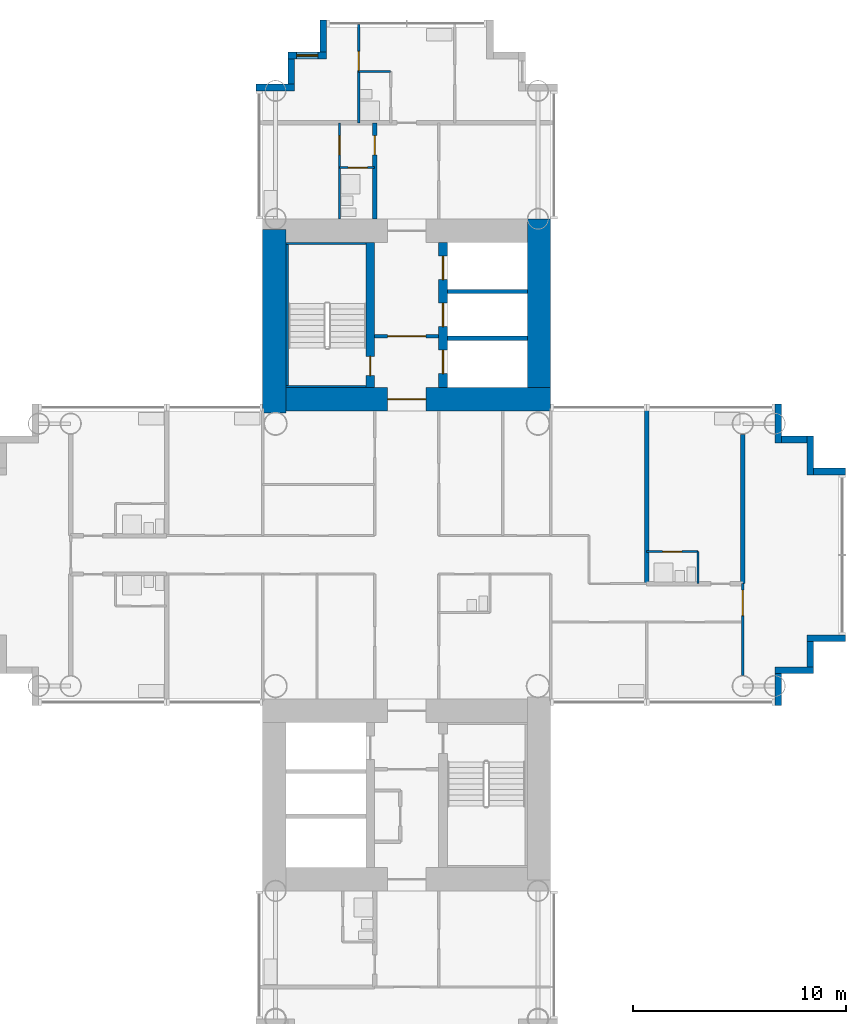
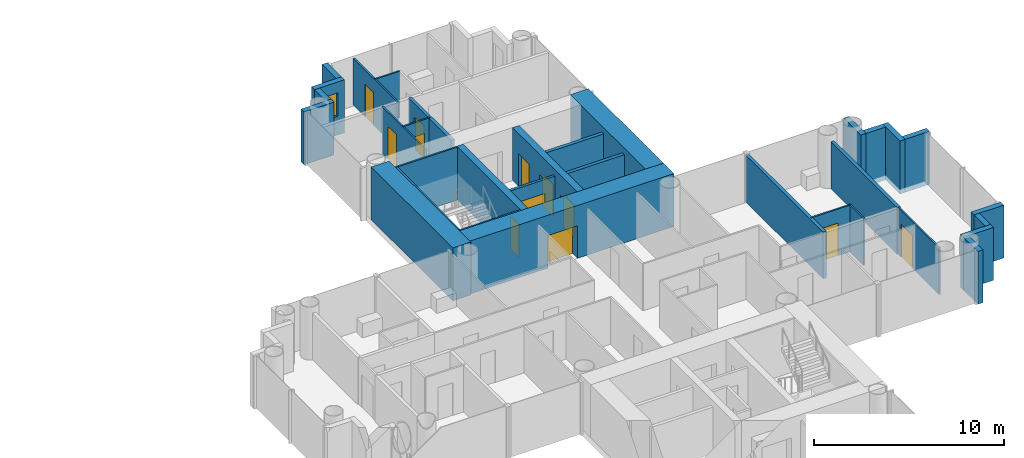
# One storey, part 14 of 21: 33 walls, 12 doors, 1 window, 13 openings.
"""IFC4 building model written with IfcOpenShell, lengths in metres."""

import ifcopenshell
import ifcopenshell.guid

model = None  # the IFC model being written
_history = None  # IfcOwnerHistory: only IFC2X3 demands one
_inside = {}  # id of a spatial element -> (the spatial element, [elements in it])
_under = {}  # id of a project, library or spatial element -> (it, [spatial elements below it])
_declared = {}  # id of a project -> (the project, [libraries it declares])
_typed = {}  # id of a type object -> (the type object, [elements of that type])
_made_of = {}  # id of a material, layer set ... -> (it, [elements and type objects made of it])


def new_model(schema):
    """Start an empty IFC model of exactly this schema.

    Asked for "IFC4X3", IfcOpenShell would pick the latest addendum, in which some entities
    have other attributes; the version numbers below select the first issue.
    IFC2X3 requires an IfcOwnerHistory on every rooted entity: one is made here for all.
    """
    global model, _history
    if schema == "IFC4X3":
        model = ifcopenshell.file(schema_version=(4, 3, 0, 0))
    else:
        model = ifcopenshell.file(schema=schema)
    _inside.clear()
    _under.clear()
    _declared.clear()
    _typed.clear()
    _made_of.clear()
    _history = None
    if model.schema == "IFC2X3":
        org = make("IfcOrganization", Name="unknown")
        user = make(
            "IfcPersonAndOrganization",
            ThePerson=make("IfcPerson", FamilyName="unknown"),
            TheOrganization=org,
        )
        app = make(
            "IfcApplication",
            ApplicationDeveloper=org,
            Version="unknown",
            ApplicationFullName="unknown",
            ApplicationIdentifier="unknown",
        )
        _history = make(
            "IfcOwnerHistory",
            OwningUser=user,
            OwningApplication=app,
            ChangeAction="ADDED",
            CreationDate=0,
        )
    return model


def make(cls, **values):
    """One entity of the class cls with the attributes given. An attribute that is None is left unset."""
    return model.create_entity(
        cls, **{name: value for name, value in values.items() if value is not None}
    )


def rooted(cls, **values):
    """An entity with a GlobalId (a new one), such as an element, a storey or a relation."""
    return make(cls, GlobalId=ifcopenshell.guid.new(), OwnerHistory=_history, **values)


def si_unit(unit_type, name, prefix=None):
    """IfcSIUnit, for example si_unit("LENGTHUNIT", "METRE", prefix="MILLI")."""
    return make("IfcSIUnit", UnitType=unit_type, Prefix=prefix, Name=name)


def assignment(units):
    """IfcUnitAssignment: the units of a project."""
    return None if units is None else make("IfcUnitAssignment", Units=units)


def point(xyz):
    """IfcCartesianPoint."""
    return None if xyz is None else make("IfcCartesianPoint", Coordinates=xyz)


def direction(xyz):
    """IfcDirection."""
    return None if xyz is None else make("IfcDirection", DirectionRatios=xyz)


def frame(location, z_axis=None, x_axis=None):
    """IfcAxis2Placement3D, a coordinate frame: its origin and axes. An axis left out is left unset."""
    return make(
        "IfcAxis2Placement3D",
        Location=point(location),
        Axis=direction(z_axis),
        RefDirection=direction(x_axis),
    )


def frame_2d(location, x_axis=None):
    """IfcAxis2Placement2D, a coordinate frame in the plane: its origin and x axis."""
    return make(
        "IfcAxis2Placement2D", Location=point(location), RefDirection=direction(x_axis)
    )


def origin():
    """The frame at (0, 0, 0) with its axes left unset."""
    return frame((0.0, 0.0, 0.0))


def place(relative_to, where):
    """IfcLocalPlacement: puts the frame where relative to a parent placement (None: the world)."""
    return make(
        "IfcLocalPlacement", PlacementRelTo=relative_to, RelativePlacement=where
    )


def context(
    kind, dimensions, precision=None, world=None, true_north=None, identifier=None
):
    """IfcGeometricRepresentationContext, for example the 3D "Model" context."""
    return make(
        "IfcGeometricRepresentationContext",
        ContextIdentifier=identifier,
        ContextType=kind,
        CoordinateSpaceDimension=dimensions,
        Precision=precision,
        WorldCoordinateSystem=world,
        TrueNorth=true_north,
    )


def subcontext(parent, identifier, kind, view, scale=None):
    """IfcGeometricRepresentationSubContext, for example "Body" below "Model"."""
    return make(
        "IfcGeometricRepresentationSubContext",
        ContextIdentifier=identifier,
        ContextType=kind,
        ParentContext=parent,
        TargetScale=scale,
        TargetView=view,
    )


def project(units=None, contexts=None):
    """IfcProject with its units and contexts."""
    return rooted(
        "IfcProject",
        Name="project",
        RepresentationContexts=contexts,
        UnitsInContext=assignment(units),
    )


def spatial(cls, under=None, at=None, **own):
    """A site, building, storey or space (cls), placed at a placement, below another one or the project."""
    s = rooted(cls, ObjectPlacement=at, **own)
    if under is not None:
        _under.setdefault(under.id(), (under, []))[1].append(s)
    return s


def profile(cls, at=None, kind="AREA", **sizes):
    """A parametric profile (cls). Its sizes go by their IFC names, for example OverallWidth=200.0."""
    return make(cls, ProfileType=kind, Position=at, **sizes)


def rectangle(**sizes):
    """IfcRectangleProfileDef."""
    return profile("IfcRectangleProfileDef", **sizes)


def extrude(swept, where, along, depth):
    """IfcExtrudedAreaSolid: the profile swept, set in the frame where, extruded along a direction by depth."""
    return make(
        "IfcExtrudedAreaSolid",
        SweptArea=swept,
        Position=where,
        ExtrudedDirection=direction(along),
        Depth=depth,
    )


def shape(context_of_items, identifier, shape_type, items):
    """IfcShapeRepresentation: the items that make up one representation, for example the "Body"."""
    return make(
        "IfcShapeRepresentation",
        ContextOfItems=context_of_items,
        RepresentationIdentifier=identifier,
        RepresentationType=shape_type,
        Items=items,
    )


def material(Name=None, Category=None):
    """IfcMaterial."""
    return make("IfcMaterial", Name=Name, Category=Category)


def layer(
    of_material, thickness, ventilated=None, Name=None, Category=None, Priority=None
):
    """IfcMaterialLayer: one layer of a wall or slab, of a material (None: an air gap)."""
    return make(
        "IfcMaterialLayer",
        Material=of_material,
        LayerThickness=thickness,
        IsVentilated=ventilated,
        Name=Name,
        Category=Category,
        Priority=Priority,
    )


def layer_set(layers, Name=None):
    """IfcMaterialLayerSet."""
    return make("IfcMaterialLayerSet", MaterialLayers=layers, LayerSetName=Name)


def made_of(thing, what):
    """Note that an element or type object is made of a material, layer set ...; save() writes the relation."""
    if what is not None:
        _made_of.setdefault(what.id(), (what, []))[1].append(thing)
    return thing


def type_object(cls, material=None, **own):
    """A type object (cls), such as IfcWallType, which elements share."""
    return made_of(rooted(cls, **own), material)


def element(
    cls,
    number,
    at=None,
    inside=None,
    cuts=None,
    type_object=None,
    material=None,
    context=None,
    identifier="Body",
    shape_type=None,
    held_by="IfcProductDefinitionShape",
    body=None,
    shapes=None,
    **own,
):
    """One element of the class cls, such as IfcWall. Its Tag is "e" and its number.

    at: its placement. inside: the storey or other place that contains it. cuts: it is an
    opening in that element (IfcRelVoidsElement). A single representation is given by context,
    identifier, shape_type and body (its items); several are given by shapes. held_by: the class
    of the entity that holds the representations. save() writes the other relations.
    """
    e = rooted(cls, Tag="e%d" % number, ObjectPlacement=at, **own)
    if body is not None:
        shapes = [shape(context, identifier, shape_type, body)]
    if shapes is not None:
        e.Representation = make(held_by, Representations=shapes)
    if inside is not None:
        _inside.setdefault(inside.id(), (inside, []))[1].append(e)
    if cuts is not None:
        rooted(
            "IfcRelVoidsElement", RelatingBuildingElement=cuts, RelatedOpeningElement=e
        )
    if type_object is not None:
        _typed.setdefault(type_object.id(), (type_object, []))[1].append(e)
    return made_of(e, material)


def fill(opening, filler):
    """IfcRelFillsElement: the door or window that sits in an opening."""
    return rooted(
        "IfcRelFillsElement",
        RelatingOpeningElement=opening,
        RelatedBuildingElement=filler,
    )


def aggregate(whole, parts):
    """IfcRelAggregates: a whole, such as a stair, and the parts it consists of."""
    return rooted("IfcRelAggregates", RelatingObject=whole, RelatedObjects=parts)


def save(model, path):
    """Write the relations noted so far, then the file.

    IfcRelAggregates (storeys below a building ...), IfcRelContainedInSpatialStructure (elements
    in a storey), IfcRelDefinesByType, IfcRelAssociatesMaterial and IfcRelDeclares: one each for
    every whole, place, type object, material and project.
    """
    for whole, parts in _under.values():
        aggregate(whole, parts)
    for where, things in _inside.values():
        rooted(
            "IfcRelContainedInSpatialStructure",
            RelatedElements=things,
            RelatingStructure=where,
        )
    for kind, things in _typed.values():
        rooted("IfcRelDefinesByType", RelatedObjects=things, RelatingType=kind)
    for what, things in _made_of.values():
        rooted("IfcRelAssociatesMaterial", RelatedObjects=things, RelatingMaterial=what)
    for by, libraries in _declared.values():
        rooted("IfcRelDeclares", RelatingContext=by, RelatedDefinitions=libraries)
    model.write(path)


model = new_model("IFC4")

# Units and contexts
model_context = context("Model", 3, precision=1e-05, world=origin(), true_north=direction((0.0, 1.0)))
body_context = subcontext(model_context, "Body", "Model", "MODEL_VIEW")
ifc_project = project(units=[si_unit("LENGTHUNIT", "METRE"), si_unit("AREAUNIT", "SQUARE_METRE"), si_unit("VOLUMEUNIT", "CUBIC_METRE"), si_unit("PLANEANGLEUNIT", "RADIAN"), si_unit("MASSUNIT", "GRAM", prefix="KILO")], contexts=[model_context])

# Site, building, storey
site_placement = place(None, origin())
site = spatial("IfcSite", under=ifc_project, at=site_placement, CompositionType="ELEMENT")
building_placement = place(site_placement, origin())
building = spatial("IfcBuilding", under=site, at=building_placement, Name="Ipe Terrace Towers", CompositionType="ELEMENT")
storey_placement = place(building_placement, frame((0.0, 0.0, 34.699951171875)))
storey = spatial("IfcBuildingStorey", under=building, at=storey_placement, Name="L08", CompositionType="ELEMENT", Elevation=34.699951171875)

# Walls
ifc_material_1 = material(Name="Concrete C40/50 with buff precast cladding", Category="concrete")
ifc_layer_1 = layer(ifc_material_1, 0.320068359375)
ifc_layer_set_1 = layer_set([ifc_layer_1], Name="BUFF CLADDING WALL 320")
wall_type_1 = type_object("IfcWallType", Name="BUFF CLADDING WALL 320", PredefinedType="STANDARD", material=ifc_layer_set_1)
wall_1_placement = place(storey_placement, frame((53.409912109375, -7.070068359375, -0.300048828125), z_axis=(0.0, 0.0, 1.0), x_axis=(0.0, 1.0, 0.0)))
element("IfcWall", 1, at=wall_1_placement, inside=storey, type_object=wall_type_1, Name="T2-W-L08-08a wall", PredefinedType="STANDARD", context=body_context, shape_type="SweptSolid", body=[
    extrude(rectangle(XDim=1.5, YDim=0.320068359375, at=frame_2d((0.75, 0.0))), origin(), (0.0, 0.0, 1.0), 3.400146484375),
])
wall_2_placement = place(storey_placement, frame((53.25, -5.409912109375, -0.300048828125), z_axis=(0.0, 0.0, 1.0), x_axis=(1.0, 0.0, 0.0)))
element("IfcWall", 2, at=wall_2_placement, inside=storey, type_object=wall_type_1, Name="T2-W-L08-09a wall", PredefinedType="STANDARD", context=body_context, shape_type="SweptSolid", body=[
    extrude(rectangle(XDim=1.820068359375, YDim=0.320068359375, at=frame_2d((0.91015625, 0.0))), origin(), (0.0, 0.0, 1.0), 3.400146484375),
])
wall_3_placement = place(storey_placement, frame((54.909912109375, -5.25, -0.300048828125), z_axis=(0.0, 0.0, 1.0), x_axis=(0.0, 1.0, 0.0)))
element("IfcWall", 3, at=wall_3_placement, inside=storey, type_object=wall_type_1, Name="T2-W-L08-10a wall", PredefinedType="STANDARD", context=body_context, shape_type="SweptSolid", body=[
    extrude(rectangle(XDim=1.179931640625, YDim=0.320068359375, at=frame_2d((0.58984375, 0.0))), origin(), (0.0, 0.0, 1.0), 3.400146484375),
])
wall_4_placement = place(storey_placement, frame((54.75, -3.909912109375, -0.300048828125), z_axis=(0.0, 0.0, 1.0), x_axis=(1.0, 0.0, 0.0)))
element("IfcWall", 4, at=wall_4_placement, inside=storey, type_object=wall_type_1, Name="T2-W-L08-11a wall", PredefinedType="STANDARD", context=body_context, shape_type="SweptSolid", body=[
    extrude(rectangle(XDim=1.820068359375, YDim=0.320068359375, at=frame_2d((0.91015625, 0.0))), origin(), (0.0, 0.0, 1.0), 3.400146484375),
])
wall_5_placement = place(storey_placement, frame((56.570068359375, 3.909912109375, -0.300048828125), z_axis=(0.0, 0.0, 1.0), x_axis=(-1.0, 0.0, 0.0)))
element("IfcWall", 5, at=wall_5_placement, inside=storey, type_object=wall_type_1, Name="T2-W-L08-13a wall", PredefinedType="STANDARD", context=body_context, shape_type="SweptSolid", body=[
    extrude(rectangle(XDim=1.5, YDim=0.320068359375, at=frame_2d((0.75, 0.0))), origin(), (0.0, 0.0, 1.0), 3.400146484375),
])
wall_6_placement = place(storey_placement, frame((54.909912109375, 3.75, -0.300048828125), z_axis=(0.0, 0.0, 1.0), x_axis=(0.0, 1.0, 0.0)))
element("IfcWall", 6, at=wall_6_placement, inside=storey, type_object=wall_type_1, Name="T2-W-L08-14a wall", PredefinedType="STANDARD", context=body_context, shape_type="SweptSolid", body=[
    extrude(rectangle(XDim=1.820068359375, YDim=0.320068359375, at=frame_2d((0.91015625, 0.0))), origin(), (0.0, 0.0, 1.0), 3.400146484375),
])
wall_7_placement = place(storey_placement, frame((54.75, 5.409912109375, -0.300048828125), z_axis=(0.0, 0.0, 1.0), x_axis=(-1.0, 0.0, 0.0)))
element("IfcWall", 7, at=wall_7_placement, inside=storey, type_object=wall_type_1, Name="T2-W-L08-15a wall", PredefinedType="STANDARD", context=body_context, shape_type="SweptSolid", body=[
    extrude(rectangle(XDim=1.179931640625, YDim=0.320068359375, at=frame_2d((0.58984375, 0.0))), origin(), (0.0, 0.0, 1.0), 3.400146484375),
])
wall_8_placement = place(storey_placement, frame((53.409912109375, 5.25, -0.300048828125), z_axis=(0.0, 0.0, 1.0), x_axis=(0.0, 1.0, 0.0)))
element("IfcWall", 8, at=wall_8_placement, inside=storey, type_object=wall_type_1, Name="T2-W-L08-16a wall", PredefinedType="STANDARD", context=body_context, shape_type="SweptSolid", body=[
    extrude(rectangle(XDim=1.820068359375, YDim=0.320068359375, at=frame_2d((0.91015625, 0.0))), origin(), (0.0, 0.0, 1.0), 3.400146484375),
])
wall_9_placement = place(storey_placement, frame((32.090087890625, 25.070068359375, -0.300048828125), z_axis=(0.0, 0.0, 1.0), x_axis=(0.0, -1.0, 0.0)))
element("IfcWall", 9, at=wall_9_placement, inside=storey, type_object=wall_type_1, Name="T2-W-L08-26a wall", PredefinedType="STANDARD", context=body_context, shape_type="SweptSolid", body=[
    extrude(rectangle(XDim=1.5, YDim=0.320068359375, at=frame_2d((0.75, 0.0))), origin(), (0.0, 0.0, 1.0), 3.400146484375),
])

# Wall, opening, window
wall_10_placement = place(storey_placement, frame((32.25, 23.409912109375, -0.300048828125), z_axis=(0.0, 0.0, 1.0), x_axis=(-1.0, 0.0, 0.0)))
wall_10 = element("IfcWall", 10, at=wall_10_placement, inside=storey, type_object=wall_type_1, Name="T2-W-L08-27a wall", PredefinedType="STANDARD", context=body_context, shape_type="SweptSolid", body=[
    extrude(rectangle(XDim=1.820068359375, YDim=0.320068359375, at=frame_2d((0.91015625, 0.0))), origin(), (0.0, 0.0, 1.0), 3.400146484375),
])
opening_1_placement = place(wall_10_placement, frame((0.409912109375, 0.0, 1.199951171875)))
opening_1 = element("IfcOpeningElement", 11, at=opening_1_placement, cuts=wall_10, Name="Opening T2-W-05-L08-01", PredefinedType="OPENING", context=body_context, shape_type="SweptSolid", body=[
    extrude(rectangle(XDim=1.0, YDim=1.5, at=frame_2d((0.5, 0.75))), frame((0.0, 0.169921875, 0.0), z_axis=(0.0, -1.0, 0.0), x_axis=(1.0, 0.0, 0.0)), (0.0, 0.0, 1.0), 0.340087890625),
])
ifc_material_2 = material(Name="Glass, clear laminated", Category="glass")
window_type = type_object("IfcWindowType", Name="DWELLING WINDOW 1000 x 1500", PartitioningType="SINGLE_PANEL", PredefinedType="WINDOW", material=ifc_material_2)
window_placement = place(opening_1_placement, origin())
window = element("IfcWindow", 12, at=window_placement, inside=storey, type_object=window_type, Name="W-05 window", OverallHeight=1.5, OverallWidth=1.0, PartitioningType="SINGLE_PANEL", PredefinedType="WINDOW", context=body_context, shape_type="SweptSolid", body=[
    extrude(rectangle(XDim=1.0, YDim=1.5, at=frame_2d((0.5, 0.75))), frame((0.0, 0.030029296875, 0.0), z_axis=(0.0, -1.0, 0.0), x_axis=(1.0, 0.0, 0.0)), (0.0, 0.0, 1.0), 0.06005859375),
])
fill(opening_1, window)

# Walls
wall_11_placement = place(storey_placement, frame((30.590087890625, 23.25, -0.300048828125), z_axis=(0.0, 0.0, 1.0), x_axis=(0.0, -1.0, 0.0)))
element("IfcWall", 13, at=wall_11_placement, inside=storey, type_object=wall_type_1, Name="T2-W-L08-28a wall", PredefinedType="STANDARD", context=body_context, shape_type="SweptSolid", body=[
    extrude(rectangle(XDim=1.179931640625, YDim=0.320068359375, at=frame_2d((0.58984375, 0.0))), origin(), (0.0, 0.0, 1.0), 3.400146484375),
])
wall_12_placement = place(storey_placement, frame((30.75, 21.909912109375, -0.300048828125), z_axis=(0.0, 0.0, 1.0), x_axis=(-1.0, 0.0, 0.0)))
element("IfcWall", 14, at=wall_12_placement, inside=storey, type_object=wall_type_1, Name="T2-W-L08-29a wall", PredefinedType="STANDARD", context=body_context, shape_type="SweptSolid", body=[
    extrude(rectangle(XDim=1.820068359375, YDim=0.320068359375, at=frame_2d((0.91015625, 0.0))), origin(), (0.0, 0.0, 1.0), 3.400146484375),
])

# Wall, opening, door
ifc_material_3 = material(Name="Gypsum board partition", Category="plasterboard")
ifc_layer_2 = layer(ifc_material_3, 0.10009765625)
ifc_layer_set_2 = layer_set([ifc_layer_2], Name="Gypsum board partition 100 mm")
wall_type_2 = type_object("IfcWallType", Name="Gypsum board partition 100 mm", PredefinedType="PARTITIONING", material=ifc_layer_set_2)
wall_13_placement = place(storey_placement, frame((49.64990234375, 0.14990234375, 0.0), z_axis=(0.0, 0.0, 1.0), x_axis=(-1.0, 0.0, 0.0)))
wall_13 = element("IfcWall", 15, at=wall_13_placement, inside=storey, type_object=wall_type_2, Name="Gypsum board partition T2 L08 W12", PredefinedType="PARTITIONING", context=body_context, shape_type="SweptSolid", body=[
    extrude(rectangle(XDim=2.39990234375, YDim=0.10009765625, at=frame_2d((1.199951171875, 0.0))), origin(), (0.0, 0.0, 1.0), 3.0),
])
opening_2_placement = place(wall_13_placement, frame((0.75, 0.0, 0.0)))
opening_2 = element("IfcOpeningElement", 16, at=opening_2_placement, cuts=wall_13, Name="Opening T2-Z1B-18", PredefinedType="OPENING", context=body_context, shape_type="SweptSolid", body=[
    extrude(rectangle(XDim=0.89990234375, YDim=2.10009765625, at=frame_2d((0.449951171875, 1.050048828125))), frame((0.0, 0.06005859375, 0.0), z_axis=(0.0, -1.0, 0.0), x_axis=(1.0, 0.0, 0.0)), (0.0, 0.0, 1.0), 0.1201171875),
])
ifc_material_4 = material(Name="Timber door leaf", Category="wood")
door_type_1 = type_object("IfcDoorType", Name="Bathroom door 900 x 2100", OperationType="NOTDEFINED", PredefinedType="DOOR", material=ifc_material_4)
door_1_placement = place(opening_2_placement, origin())
door_1 = element("IfcDoor", 17, at=door_1_placement, inside=storey, type_object=door_type_1, Name="Bathroom door T2-Z1B-18", OperationType="SINGLE_SWING_LEFT", OverallHeight=2.10009765625, OverallWidth=0.89990234375, PredefinedType="DOOR", context=body_context, shape_type="SweptSolid", body=[
    extrude(rectangle(XDim=0.89990234375, YDim=2.10009765625, at=frame_2d((0.449951171875, 1.050048828125))), frame((0.0, 0.02490234375, 0.0), z_axis=(0.0, -1.0, 0.0), x_axis=(1.0, 0.0, 0.0)), (0.0, 0.0, 1.0), 0.050048828125),
])
fill(opening_2, door_1)

wall_14_placement = place(storey_placement, frame((34.5, 18.14990234375, 0.0), z_axis=(0.0, 0.0, 1.0), x_axis=(-1.0, 0.0, 0.0)))
wall_14 = element("IfcWall", 18, at=wall_14_placement, inside=storey, type_object=wall_type_2, Name="Gypsum board partition T2 L08 W18", PredefinedType="PARTITIONING", context=body_context, shape_type="SweptSolid", body=[
    extrude(rectangle(XDim=1.64990234375, YDim=0.10009765625, at=frame_2d((0.824951171875, 0.0))), origin(), (0.0, 0.0, 1.0), 3.0),
])
opening_3_placement = place(wall_14_placement, frame((0.35009765625, 0.0, 0.0)))
opening_3 = element("IfcOpeningElement", 19, at=opening_3_placement, cuts=wall_14, Name="Opening T2-Z1B-24", PredefinedType="OPENING", context=body_context, shape_type="SweptSolid", body=[
    extrude(rectangle(XDim=0.89990234375, YDim=2.10009765625, at=frame_2d((0.449951171875, 1.050048828125))), frame((0.0, 0.06005859375, 0.0), z_axis=(0.0, -1.0, 0.0), x_axis=(1.0, 0.0, 0.0)), (0.0, 0.0, 1.0), 0.1201171875),
])
door_2_placement = place(opening_3_placement, origin())
door_2 = element("IfcDoor", 20, at=door_2_placement, inside=storey, type_object=door_type_1, Name="Bathroom door T2-Z1B-24", OperationType="SINGLE_SWING_RIGHT", OverallHeight=2.10009765625, OverallWidth=0.89990234375, PredefinedType="DOOR", context=body_context, shape_type="SweptSolid", body=[
    extrude(rectangle(XDim=0.89990234375, YDim=2.10009765625, at=frame_2d((0.449951171875, 1.050048828125))), frame((0.0, 0.02490234375, 0.0), z_axis=(0.0, -1.0, 0.0), x_axis=(1.0, 0.0, 0.0)), (0.0, 0.0, 1.0), 0.050048828125),
])
fill(opening_3, door_2)

# Wall
wall_15_placement = place(storey_placement, frame((35.25, 22.64990234375, 0.0), z_axis=(0.0, 0.0, 1.0), x_axis=(-1.0, 0.0, 0.0)))
element("IfcWall", 21, at=wall_15_placement, inside=storey, type_object=wall_type_2, Name="Gypsum board partition T2 L08 W20", PredefinedType="PARTITIONING", context=body_context, shape_type="SweptSolid", body=[
    extrude(rectangle(XDim=1.5, YDim=0.10009765625, at=frame_2d((0.75, 0.0))), origin(), (0.0, 0.0, 1.0), 3.0),
])

# Wall, opening, door
wall_16_placement = place(storey_placement, frame((51.75, -5.64990234375, 0.0), z_axis=(0.0, 0.0, 1.0), x_axis=(0.0, 1.0, 0.0)))
wall_16 = element("IfcWall", 22, at=wall_16_placement, inside=storey, type_object=wall_type_2, Name="Gypsum board partition T2 L08 W21", PredefinedType="PARTITIONING", context=body_context, shape_type="SweptSolid", body=[
    extrude(rectangle(XDim=4.2998046875, YDim=0.10009765625, at=frame_2d((2.14990234375, 0.0))), origin(), (0.0, 0.0, 1.0), 3.0),
])
opening_4_placement = place(wall_16_placement, frame((2.800048828125, 0.0, 0.0)))
opening_4 = element("IfcOpeningElement", 23, at=opening_4_placement, cuts=wall_16, Name="Opening T2-Z1B-21", PredefinedType="OPENING", context=body_context, shape_type="SweptSolid", body=[
    extrude(rectangle(XDim=1.199951171875, YDim=2.10009765625, at=frame_2d((0.60009765625, 1.050048828125))), frame((0.0, 0.06005859375, 0.0), z_axis=(0.0, -1.0, 0.0), x_axis=(1.0, 0.0, 0.0)), (0.0, 0.0, 1.0), 0.1201171875),
])
ifc_material_5 = material(Name="Timber door leaf", Category="wood")
door_type_2 = type_object("IfcDoorType", Name="Lounge door 1200 x 2100", OperationType="NOTDEFINED", PredefinedType="DOOR", material=ifc_material_5)
door_3_placement = place(opening_4_placement, origin())
door_3 = element("IfcDoor", 24, at=door_3_placement, inside=storey, type_object=door_type_2, Name="Lounge door T2-Z1B-21", OperationType="SINGLE_SWING_RIGHT", OverallHeight=2.10009765625, OverallWidth=1.199951171875, PredefinedType="DOOR", context=body_context, shape_type="SweptSolid", body=[
    extrude(rectangle(XDim=1.199951171875, YDim=2.10009765625, at=frame_2d((0.60009765625, 1.050048828125))), frame((0.0, 0.02490234375, 0.0), z_axis=(0.0, -1.0, 0.0), x_axis=(1.0, 0.0, 0.0)), (0.0, 0.0, 1.0), 0.050048828125),
])
fill(opening_4, door_3)

# Wall
wall_17_placement = place(storey_placement, frame((49.64990234375, -1.35009765625, 0.0), z_axis=(0.0, 0.0, 1.0), x_axis=(0.0, 1.0, 0.0)))
element("IfcWall", 25, at=wall_17_placement, inside=storey, type_object=wall_type_2, Name="Gypsum board partition T2 L08 W23", PredefinedType="PARTITIONING", context=body_context, shape_type="SweptSolid", body=[
    extrude(rectangle(XDim=1.5, YDim=0.10009765625, at=frame_2d((0.75, 0.0))), origin(), (0.0, 0.0, 1.0), 3.0),
])

# Wall, opening, door
wall_18_placement = place(storey_placement, frame((33.75, 20.25, 0.0), z_axis=(0.0, 0.0, 1.0), x_axis=(0.0, 1.0, 0.0)))
wall_18 = element("IfcWall", 26, at=wall_18_placement, inside=storey, type_object=wall_type_2, Name="Gypsum board partition T2 L08 W41", PredefinedType="PARTITIONING", context=body_context, shape_type="SweptSolid", body=[
    extrude(rectangle(XDim=4.60009765625, YDim=0.10009765625, at=frame_2d((2.300048828125, 0.0))), origin(), (0.0, 0.0, 1.0), 3.0),
])
opening_5_placement = place(wall_18_placement, frame((2.449951171875, 0.0, 0.0)))
opening_5 = element("IfcOpeningElement", 27, at=opening_5_placement, cuts=wall_18, Name="Opening T2-Z1B-28", PredefinedType="OPENING", context=body_context, shape_type="SweptSolid", body=[
    extrude(rectangle(XDim=0.89990234375, YDim=2.10009765625, at=frame_2d((0.449951171875, 1.050048828125))), frame((0.0, 0.06005859375, 0.0), z_axis=(0.0, -1.0, 0.0), x_axis=(1.0, 0.0, 0.0)), (0.0, 0.0, 1.0), 0.1201171875),
])
ifc_material_6 = material(Name="Timber door leaf", Category="wood")
door_type_3 = type_object("IfcDoorType", Name="Bedroom door 900 x 2100", OperationType="NOTDEFINED", PredefinedType="DOOR", material=ifc_material_6)
door_4_placement = place(opening_5_placement, origin())
door_4 = element("IfcDoor", 28, at=door_4_placement, inside=storey, type_object=door_type_3, Name="Bedroom door T2-Z1B-28", OperationType="SINGLE_SWING_LEFT", OverallHeight=2.10009765625, OverallWidth=0.89990234375, PredefinedType="DOOR", context=body_context, shape_type="SweptSolid", body=[
    extrude(rectangle(XDim=0.89990234375, YDim=2.10009765625, at=frame_2d((0.449951171875, 1.050048828125))), frame((0.0, 0.02490234375, 0.0), z_axis=(0.0, -1.0, 0.0), x_axis=(1.0, 0.0, 0.0)), (0.0, 0.0, 1.0), 0.050048828125),
])
fill(opening_5, door_4)

wall_19_placement = place(storey_placement, frame((32.85009765625, 15.75, 0.0), z_axis=(0.0, 0.0, 1.0), x_axis=(0.0, 1.0, 0.0)))
wall_19 = element("IfcWall", 29, at=wall_19_placement, inside=storey, type_object=wall_type_2, Name="Gypsum board partition T2 L08 W43", PredefinedType="PARTITIONING", context=body_context, shape_type="SweptSolid", body=[
    extrude(rectangle(XDim=4.5, YDim=0.10009765625, at=frame_2d((2.25, 0.0))), origin(), (0.0, 0.0, 1.0), 3.0),
])
opening_6_placement = place(wall_19_placement, frame((3.0, 0.0, 0.0)))
opening_6 = element("IfcOpeningElement", 30, at=opening_6_placement, cuts=wall_19, Name="Opening T2-Z1B-23", PredefinedType="OPENING", context=body_context, shape_type="SweptSolid", body=[
    extrude(rectangle(XDim=0.89990234375, YDim=2.10009765625, at=frame_2d((0.449951171875, 1.050048828125))), frame((0.0, 0.06005859375, 0.0), z_axis=(0.0, -1.0, 0.0), x_axis=(1.0, 0.0, 0.0)), (0.0, 0.0, 1.0), 0.1201171875),
])
door_5_placement = place(opening_6_placement, origin())
door_5 = element("IfcDoor", 31, at=door_5_placement, inside=storey, type_object=door_type_3, Name="Bedroom door T2-Z1B-23", OperationType="SINGLE_SWING_LEFT", OverallHeight=2.10009765625, OverallWidth=0.89990234375, PredefinedType="DOOR", context=body_context, shape_type="SweptSolid", body=[
    extrude(rectangle(XDim=0.89990234375, YDim=2.10009765625, at=frame_2d((0.449951171875, 1.050048828125))), frame((0.0, 0.02490234375, 0.0), z_axis=(0.0, -1.0, 0.0), x_axis=(1.0, 0.0, 0.0)), (0.0, 0.0, 1.0), 0.050048828125),
])
fill(opening_6, door_5)

ifc_material_7 = material(Name="Gypsum board partition", Category="plasterboard")
ifc_layer_3 = layer(ifc_material_7, 0.14990234375)
ifc_layer_set_3 = layer_set([ifc_layer_3], Name="Gypsum board partition 150 mm")
wall_type_3 = type_object("IfcWallType", Name="Gypsum board partition 150 mm", PredefinedType="PARTITIONING", material=ifc_layer_set_3)
wall_20_placement = place(storey_placement, frame((37.5, 10.25, 0.0), z_axis=(0.0, 0.0, 1.0), x_axis=(-1.0, 0.0, 0.0)))
wall_20 = element("IfcWall", 32, at=wall_20_placement, inside=storey, type_object=wall_type_3, Name="Gypsum board partition T2 L08 t2c1-lobby-wall", PredefinedType="PARTITIONING", context=body_context, shape_type="SweptSolid", body=[
    extrude(rectangle(XDim=3.0, YDim=0.14990234375, at=frame_2d((1.5, 0.0))), origin(), (0.0, 0.0, 1.0), 3.0),
])
opening_7_placement = place(wall_20_placement, frame((0.60009765625, 0.0, 0.0)))
opening_7 = element("IfcOpeningElement", 33, at=opening_7_placement, cuts=wall_20, Name="Opening T2C1-VD", PredefinedType="OPENING", context=body_context, shape_type="SweptSolid", body=[
    extrude(rectangle(XDim=1.800048828125, YDim=2.10009765625, at=frame_2d((0.89990234375, 1.050048828125))), frame((0.0, 0.0849609375, 0.0), z_axis=(0.0, -1.0, 0.0), x_axis=(1.0, 0.0, 0.0)), (0.0, 0.0, 1.0), 0.169921875),
])
ifc_material_8 = material(Name="Fire-rated timber door leaf", Category="wood")
door_type_4 = type_object("IfcDoorType", Name="Lobby door 1800 x 2100 FD60", OperationType="NOTDEFINED", PredefinedType="DOOR", material=ifc_material_8)
door_6_placement = place(opening_7_placement, origin())
door_6 = element("IfcDoor", 34, at=door_6_placement, inside=storey, type_object=door_type_4, Name="Lobby door T2C1-VD", OperationType="SINGLE_SWING_LEFT", OverallHeight=2.10009765625, OverallWidth=1.800048828125, PredefinedType="DOOR", context=body_context, shape_type="SweptSolid", body=[
    extrude(rectangle(XDim=1.800048828125, YDim=2.10009765625, at=frame_2d((0.89990234375, 1.050048828125))), frame((0.0, 0.02490234375, 0.0), z_axis=(0.0, -1.0, 0.0), x_axis=(1.0, 0.0, 0.0)), (0.0, 0.0, 1.0), 0.050048828125),
])
fill(opening_7, door_6)

# Walls
ifc_material_9 = material(Name="Gypsum board party wall", Category="plasterboard")
ifc_layer_4 = layer(ifc_material_9, 0.199951171875)
ifc_layer_set_4 = layer_set([ifc_layer_4], Name="Gypsum board party wall 200 mm")
wall_type_4 = type_object("IfcWallType", Name="Gypsum board party wall 200 mm", PredefinedType="SOLIDWALL", material=ifc_layer_set_4)
for number, where, z_axis, x_axis, name in (
    (35, (41.64990234375, 10.14990234375, 0.0), (0.0, 0.0, 1.0), (-1.0, 0.0, 0.0), "Gypsum board party wall T2 L08 t2c1-shaft-div1"),
    (36, (41.64990234375, 12.35009765625, 0.0), (0.0, 0.0, 1.0), (-1.0, 0.0, 0.0), "Gypsum board party wall T2 L08 t2c1-shaft-div2"),
):
    element("IfcWall", number, at=place(storey_placement, frame(where, z_axis=z_axis, x_axis=x_axis)), inside=storey, type_object=wall_type_4, Name=name, PredefinedType="SOLIDWALL", context=body_context, shape_type="SweptSolid", body=[
        extrude(rectangle(XDim=3.75, YDim=0.199951171875, at=frame_2d((1.875, 0.0))), origin(), (0.0, 0.0, 1.0), 3.0),
    ])
wall_21_placement = place(storey_placement, frame((51.75, -1.35009765625, 0.0), z_axis=(0.0, 0.0, 1.0), x_axis=(0.0, 1.0, 0.0)))
element("IfcWall", 37, at=wall_21_placement, inside=storey, type_object=wall_type_4, Name="Gypsum board party wall T2 L08 W22", PredefinedType="SOLIDWALL", context=body_context, shape_type="SweptSolid", body=[
    extrude(rectangle(XDim=7.0, YDim=0.199951171875, at=frame_2d((3.5, 0.0))), origin(), (0.0, 0.0, 1.0), 3.0),
])
wall_22_placement = place(storey_placement, frame((47.25, -1.35009765625, 0.0), z_axis=(0.0, 0.0, 1.0), x_axis=(0.0, 1.0, 0.0)))
element("IfcWall", 38, at=wall_22_placement, inside=storey, type_object=wall_type_4, Name="Gypsum board party wall T2 L08 W25", PredefinedType="SOLIDWALL", context=body_context, shape_type="SweptSolid", body=[
    extrude(rectangle(XDim=8.2001953125, YDim=0.199951171875, at=frame_2d((4.10009765625, 0.0))), origin(), (0.0, 0.0, 1.0), 3.0),
])

# Wall, opening, door
wall_23_placement = place(storey_placement, frame((34.5, 15.75, 0.0), z_axis=(0.0, 0.0, 1.0), x_axis=(0.0, 1.0, 0.0)))
wall_23 = element("IfcWall", 39, at=wall_23_placement, inside=storey, type_object=wall_type_4, Name="Gypsum board party wall T2 L08 W40", PredefinedType="SOLIDWALL", context=body_context, shape_type="SweptSolid", body=[
    extrude(rectangle(XDim=4.5, YDim=0.199951171875, at=frame_2d((2.25, 0.0))), origin(), (0.0, 0.0, 1.0), 3.0),
])
opening_8_placement = place(wall_23_placement, frame((3.0, 0.0, 0.0)))
opening_8 = element("IfcOpeningElement", 40, at=opening_8_placement, cuts=wall_23, Name="Opening T2-Z1B-22", PredefinedType="OPENING", context=body_context, shape_type="SweptSolid", body=[
    extrude(rectangle(XDim=0.89990234375, YDim=2.10009765625, at=frame_2d((0.449951171875, 1.050048828125))), frame((0.0, 0.10986328125, 0.0), z_axis=(0.0, -1.0, 0.0), x_axis=(1.0, 0.0, 0.0)), (0.0, 0.0, 1.0), 0.219970703125),
])
ifc_material_10 = material(Name="Fire-rated timber door leaf", Category="wood")
door_type_5 = type_object("IfcDoorType", Name="Flat entrance door 900 x 2100 FD30S", OperationType="NOTDEFINED", PredefinedType="DOOR", material=ifc_material_10)
door_7_placement = place(opening_8_placement, origin())
door_7 = element("IfcDoor", 41, at=door_7_placement, inside=storey, type_object=door_type_5, Name="Flat entrance door T2-Z1B-22", OperationType="SINGLE_SWING_LEFT", OverallHeight=2.10009765625, OverallWidth=0.89990234375, PredefinedType="DOOR", context=body_context, shape_type="SweptSolid", body=[
    extrude(rectangle(XDim=0.89990234375, YDim=2.10009765625, at=frame_2d((0.449951171875, 1.050048828125))), frame((0.0, 0.02490234375, 0.0), z_axis=(0.0, -1.0, 0.0), x_axis=(1.0, 0.0, 0.0)), (0.0, 0.0, 1.0), 0.050048828125),
])
fill(opening_8, door_7)

# Walls
ifc_material_11 = material(Name="Concrete C60/75", Category="concrete")
ifc_layer_5 = layer(ifc_material_11, 0.10009765625)
ifc_layer_set_5 = layer_set([ifc_layer_5], Name="RW100 CORE INFILL WALL 100 C60-75")
wall_type_5 = type_object("IfcWallType", Name="RW100 CORE INFILL WALL 100 C60-75", PredefinedType="SHEAR", material=ifc_layer_set_5)
wall_24_placement = place(storey_placement, frame((34.10009765625, 14.60009765625, 0.0), z_axis=(0.0, 0.0, 1.0), x_axis=(-1.0, 0.0, 0.0)))
element("IfcWall", 42, at=wall_24_placement, inside=storey, type_object=wall_type_5, Name="Core infill wall T2-C1-far", PredefinedType="SHEAR", context=body_context, shape_type="SweptSolid", body=[
    extrude(rectangle(XDim=3.75, YDim=0.10009765625, at=frame_2d((1.875, 0.0))), origin(), (0.0, 0.0, 1.0), 3.400146484375),
])
wall_25_placement = place(storey_placement, frame((30.39990234375, 7.949951171875, 0.0), z_axis=(0.0, 0.0, 1.0), x_axis=(0.0, 1.0, 0.0)))
element("IfcWall", 43, at=wall_25_placement, inside=storey, type_object=wall_type_5, Name="Core infill wall T2-C1-back", PredefinedType="SHEAR", context=body_context, shape_type="SweptSolid", body=[
    extrude(rectangle(XDim=6.60009765625, YDim=0.10009765625, at=frame_2d((3.300048828125, 0.0))), origin(), (0.0, 0.0, 1.0), 3.400146484375),
])
wall_26_placement = place(storey_placement, frame((34.10009765625, 7.89990234375, 0.0), z_axis=(0.0, 0.0, 1.0), x_axis=(-1.0, 0.0, 0.0)))
element("IfcWall", 44, at=wall_26_placement, inside=storey, type_object=wall_type_5, Name="Core infill wall T2-C1-near", PredefinedType="SHEAR", context=body_context, shape_type="SweptSolid", body=[
    extrude(rectangle(XDim=3.75, YDim=0.10009765625, at=frame_2d((1.875, 0.0))), origin(), (0.0, 0.0, 1.0), 3.400146484375),
])

# Wall, opening, door
ifc_material_12 = material(Name="Concrete C60/75", Category="concrete")
ifc_layer_6 = layer(ifc_material_12, 1.10009765625)
ifc_layer_set_6 = layer_set([ifc_layer_6], Name="RW1100 CORE WALL 1100 C60-75")
wall_type_6 = type_object("IfcWallType", Name="RW1100 CORE WALL 1100 C60-75", PredefinedType="SHEAR", material=ifc_layer_set_6)
wall_27_placement = place(storey_placement, frame((30.35009765625, 7.300048828125, 0.0), z_axis=(0.0, 0.0, 1.0), x_axis=(1.0, 0.0, 0.0)))
wall_27 = element("IfcWall", 45, at=wall_27_placement, inside=storey, type_object=wall_type_6, Name="Core wall T2-C1-Z1-W01", PredefinedType="SHEAR", context=body_context, shape_type="SweptSolid", body=[
    extrude(rectangle(XDim=12.39990234375, YDim=1.10009765625, at=frame_2d((6.199951171875, 0.0))), origin(), (0.0, 0.0, 1.0), 3.400146484375),
])
opening_9_placement = place(wall_27_placement, frame((4.75, 0.0, 0.0)))
opening_9 = element("IfcOpeningElement", 46, at=opening_9_placement, cuts=wall_27, Name="Opening T2C1-ND", PredefinedType="OPENING", context=body_context, shape_type="SweptSolid", body=[
    extrude(rectangle(XDim=1.800048828125, YDim=2.10009765625, at=frame_2d((0.89990234375, 1.050048828125))), frame((0.0, 0.56005859375, 0.0), z_axis=(0.0, -1.0, 0.0), x_axis=(1.0, 0.0, 0.0)), (0.0, 0.0, 1.0), 1.1201171875),
])
ifc_material_13 = material(Name="Fire-rated timber door leaf", Category="wood")
door_type_6 = type_object("IfcDoorType", Name="Fire door 1800 x 2100 FD30S", OperationType="NOTDEFINED", PredefinedType="DOOR", material=ifc_material_13)
door_8_placement = place(opening_9_placement, origin())
door_8 = element("IfcDoor", 47, at=door_8_placement, inside=storey, type_object=door_type_6, Name="Fire door T2C1-ND", OperationType="SINGLE_SWING_LEFT", OverallHeight=2.10009765625, OverallWidth=1.800048828125, PredefinedType="DOOR", context=body_context, shape_type="SweptSolid", body=[
    extrude(rectangle(XDim=1.800048828125, YDim=2.10009765625, at=frame_2d((0.89990234375, 1.050048828125))), frame((0.0, 0.02490234375, 0.0), z_axis=(0.0, -1.0, 0.0), x_axis=(1.0, 0.0, 0.0)), (0.0, 0.0, 1.0), 0.050048828125),
])
fill(opening_9, door_8)

# Walls
wall_28_placement = place(storey_placement, frame((42.199951171875, 7.85009765625, 0.0), z_axis=(0.0, 0.0, 1.0), x_axis=(0.0, 1.0, 0.0)))
element("IfcWall", 48, at=wall_28_placement, inside=storey, type_object=wall_type_6, Name="Core wall T2-C1-Z1-W02", PredefinedType="SHEAR", context=body_context, shape_type="SweptSolid", body=[
    extrude(rectangle(XDim=7.89990234375, YDim=1.10009765625, at=frame_2d((3.949951171875, 0.0))), origin(), (0.0, 0.0, 1.0), 3.400146484375),
])
wall_29_placement = place(storey_placement, frame((29.800048828125, 15.248046875, 0.0), z_axis=(0.0, 0.0, 1.0), x_axis=(0.0, -1.0, 0.0)))
element("IfcWall", 49, at=wall_29_placement, inside=storey, type_object=wall_type_6, Name="Core wall T2-C1-Z1-W04", PredefinedType="SHEAR", context=body_context, shape_type="SweptSolid", body=[
    extrude(rectangle(XDim=8.595947265625, YDim=1.10009765625, at=frame_2d((4.2978515625, 0.0))), origin(), (0.0, 0.0, 1.0), 3.400146484375),
])

# Wall, opening, door
ifc_material_14 = material(Name="Concrete C60/75", Category="concrete")
ifc_layer_7 = layer(ifc_material_14, 0.39990234375)
ifc_layer_set_7 = layer_set([ifc_layer_7], Name="RW400 CORE SPINE WALL 400 C60-75")
wall_type_7 = type_object("IfcWallType", Name="RW400 CORE SPINE WALL 400 C60-75", PredefinedType="SHEAR", material=ifc_layer_set_7)
wall_30_placement = place(storey_placement, frame((34.300048828125, 7.85009765625, 0.0), z_axis=(0.0, 0.0, 1.0), x_axis=(0.0, 1.0, 0.0)))
wall_30 = element("IfcWall", 50, at=wall_30_placement, inside=storey, type_object=wall_type_7, Name="Core spine wall T2-C1-Z1-SW1", PredefinedType="SHEAR", context=body_context, shape_type="SweptSolid", body=[
    extrude(rectangle(XDim=6.7998046875, YDim=0.39990234375, at=frame_2d((3.39990234375, 0.0))), origin(), (0.0, 0.0, 1.0), 3.400146484375),
])
opening_10_placement = place(wall_30_placement, frame((0.550048828125, 0.0, 0.0)))
opening_10 = element("IfcOpeningElement", 51, at=opening_10_placement, cuts=wall_30, Name="Opening T2C1-SD", PredefinedType="OPENING", context=body_context, shape_type="SweptSolid", body=[
    extrude(rectangle(XDim=0.89990234375, YDim=2.10009765625, at=frame_2d((0.449951171875, 1.050048828125))), frame((0.0, 0.2099609375, 0.0), z_axis=(0.0, -1.0, 0.0), x_axis=(1.0, 0.0, 0.0)), (0.0, 0.0, 1.0), 0.419921875),
])
ifc_material_15 = material(Name="Fire-rated timber door leaf", Category="wood")
door_type_7 = type_object("IfcDoorType", Name="Stair door 900 x 2100 FD60", OperationType="NOTDEFINED", PredefinedType="DOOR", material=ifc_material_15)
door_9_placement = place(opening_10_placement, origin())
door_9 = element("IfcDoor", 52, at=door_9_placement, inside=storey, type_object=door_type_7, Name="Stair door T2C1-SD", OperationType="SINGLE_SWING_LEFT", OverallHeight=2.10009765625, OverallWidth=0.89990234375, PredefinedType="DOOR", context=body_context, shape_type="SweptSolid", body=[
    extrude(rectangle(XDim=0.89990234375, YDim=2.10009765625, at=frame_2d((0.449951171875, 1.050048828125))), frame((0.0, 0.02490234375, 0.0), z_axis=(0.0, -1.0, 0.0), x_axis=(1.0, 0.0, 0.0)), (0.0, 0.0, 1.0), 0.050048828125),
])
fill(opening_10, door_9)

# Wall, openings, doors
wall_31_placement = place(storey_placement, frame((37.699951171875, 7.85009765625, 0.0), z_axis=(0.0, 0.0, 1.0), x_axis=(0.0, 1.0, 0.0)))
wall_31 = element("IfcWall", 53, at=wall_31_placement, inside=storey, type_object=wall_type_7, Name="Core spine wall T2-C1-Z1-SW2", PredefinedType="SHEAR", context=body_context, shape_type="SweptSolid", body=[
    extrude(rectangle(XDim=6.7998046875, YDim=0.39990234375, at=frame_2d((3.39990234375, 0.0))), origin(), (0.0, 0.0, 1.0), 3.400146484375),
])
opening_11_placement = place(wall_31_placement, frame((0.64990234375, 0.0, 0.0)))
opening_11 = element("IfcOpeningElement", 54, at=opening_11_placement, cuts=wall_31, Name="Opening T2C1-LD1", PredefinedType="OPENING", context=body_context, shape_type="SweptSolid", body=[
    extrude(rectangle(XDim=1.10009765625, YDim=2.10009765625, at=frame_2d((0.550048828125, 1.050048828125))), frame((0.0, 0.2099609375, 0.0), z_axis=(0.0, -1.0, 0.0), x_axis=(1.0, 0.0, 0.0)), (0.0, 0.0, 1.0), 0.419921875),
])
opening_12_placement = place(wall_31_placement, frame((2.85009765625, 0.0, 0.0)))
opening_12 = element("IfcOpeningElement", 55, at=opening_12_placement, cuts=wall_31, Name="Opening T2C1-LD2", PredefinedType="OPENING", context=body_context, shape_type="SweptSolid", body=[
    extrude(rectangle(XDim=1.10009765625, YDim=2.10009765625, at=frame_2d((0.550048828125, 1.050048828125))), frame((0.0, 0.2099609375, 0.0), z_axis=(0.0, -1.0, 0.0), x_axis=(1.0, 0.0, 0.0)), (0.0, 0.0, 1.0), 0.419921875),
])
opening_13_placement = place(wall_31_placement, frame((5.050048828125, 0.0, 0.0)))
opening_13 = element("IfcOpeningElement", 56, at=opening_13_placement, cuts=wall_31, Name="Opening T2C1-LD3", PredefinedType="OPENING", context=body_context, shape_type="SweptSolid", body=[
    extrude(rectangle(XDim=1.10009765625, YDim=2.10009765625, at=frame_2d((0.550048828125, 1.050048828125))), frame((0.0, 0.2099609375, 0.0), z_axis=(0.0, -1.0, 0.0), x_axis=(1.0, 0.0, 0.0)), (0.0, 0.0, 1.0), 0.419921875),
])
ifc_material_16 = material(Name="Fire-rated timber door leaf", Category="wood")
door_type_8 = type_object("IfcDoorType", Name="Sliding door 1100 x 2100 FD60", OperationType="SLIDING_TO_LEFT", PredefinedType="DOOR", material=ifc_material_16)
door_10_placement = place(opening_11_placement, origin())
door_10 = element("IfcDoor", 57, at=door_10_placement, inside=storey, type_object=door_type_8, Name="Sliding door T2C1-LD1", OperationType="SLIDING_TO_LEFT", OverallHeight=2.10009765625, OverallWidth=1.10009765625, PredefinedType="DOOR", context=body_context, shape_type="SweptSolid", body=[
    extrude(rectangle(XDim=1.10009765625, YDim=2.10009765625, at=frame_2d((0.550048828125, 1.050048828125))), frame((0.0, 0.02490234375, 0.0), z_axis=(0.0, -1.0, 0.0), x_axis=(1.0, 0.0, 0.0)), (0.0, 0.0, 1.0), 0.050048828125),
])
fill(opening_11, door_10)
door_11_placement = place(opening_12_placement, origin())
door_11 = element("IfcDoor", 58, at=door_11_placement, inside=storey, type_object=door_type_8, Name="Sliding door T2C1-LD2", OperationType="SLIDING_TO_LEFT", OverallHeight=2.10009765625, OverallWidth=1.10009765625, PredefinedType="DOOR", context=body_context, shape_type="SweptSolid", body=[
    extrude(rectangle(XDim=1.10009765625, YDim=2.10009765625, at=frame_2d((0.550048828125, 1.050048828125))), frame((0.0, 0.02490234375, 0.0), z_axis=(0.0, -1.0, 0.0), x_axis=(1.0, 0.0, 0.0)), (0.0, 0.0, 1.0), 0.050048828125),
])
fill(opening_12, door_11)
door_12_placement = place(opening_13_placement, origin())
door_12 = element("IfcDoor", 59, at=door_12_placement, inside=storey, type_object=door_type_8, Name="Sliding door T2C1-LD3", OperationType="SLIDING_TO_LEFT", OverallHeight=2.10009765625, OverallWidth=1.10009765625, PredefinedType="DOOR", context=body_context, shape_type="SweptSolid", body=[
    extrude(rectangle(XDim=1.10009765625, YDim=2.10009765625, at=frame_2d((0.550048828125, 1.050048828125))), frame((0.0, 0.02490234375, 0.0), z_axis=(0.0, -1.0, 0.0), x_axis=(1.0, 0.0, 0.0)), (0.0, 0.0, 1.0), 0.050048828125),
])
fill(opening_13, door_12)

save(model, "model.ifc")
